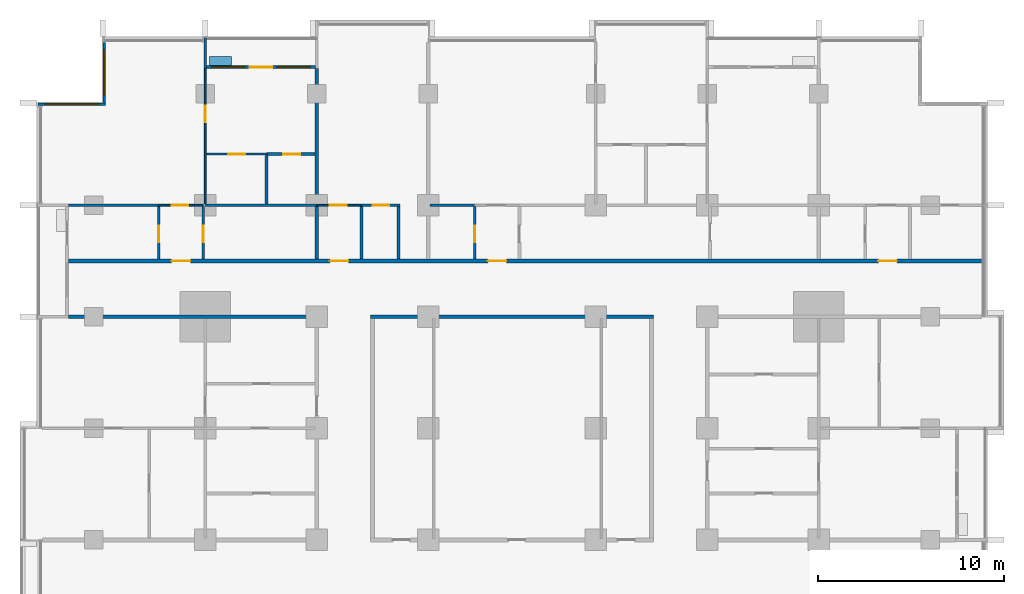
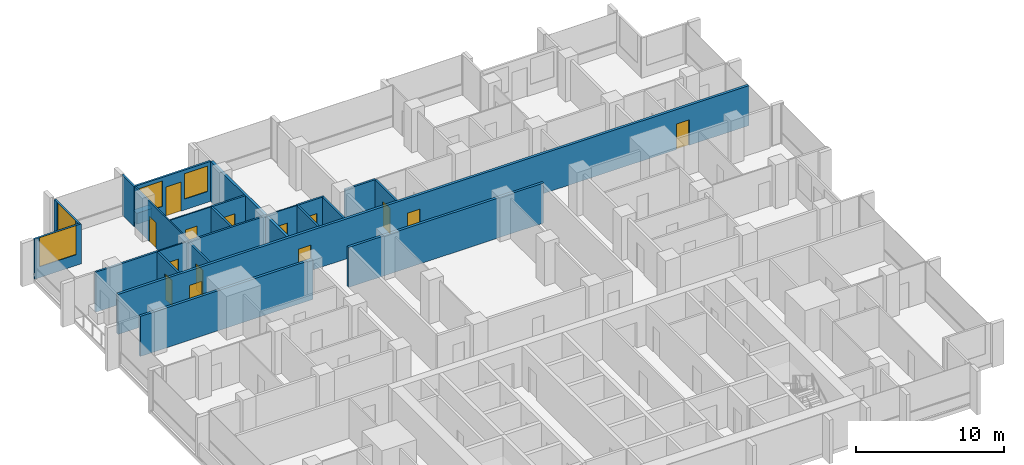
# One storey, part 11 of 18: 25 walls, 14 doors, 4 windows, 18 openings.
"""IFC4 building model written with IfcOpenShell, lengths in metres."""

from ifc_helpers import new_model, si_unit, direction, frame, frame_2d, origin, place, context, subcontext, project, spatial, rectangle, extrude, material, layer, layer_set, type_object, element, fill, save


model = new_model("IFC4")

# Units and contexts
model_context = context("Model", 3, precision=1e-05, world=origin(), true_north=direction((0.0, 1.0)))
body_context = subcontext(model_context, "Body", "Model", "MODEL_VIEW")
ifc_project = project(units=[si_unit("LENGTHUNIT", "METRE"), si_unit("AREAUNIT", "SQUARE_METRE"), si_unit("VOLUMEUNIT", "CUBIC_METRE"), si_unit("PLANEANGLEUNIT", "RADIAN"), si_unit("MASSUNIT", "GRAM", prefix="KILO")], contexts=[model_context])

# Site, building, storey
site_placement = place(None, origin())
site = spatial("IfcSite", under=ifc_project, at=site_placement, CompositionType="ELEMENT")
building_placement = place(site_placement, origin())
building = spatial("IfcBuilding", under=site, at=building_placement, Name="Finial Court Residences", CompositionType="ELEMENT")
storey_placement = place(building_placement, frame((0.0, 0.0, 84.699951171875)))
storey = spatial("IfcBuildingStorey", under=building, at=storey_placement, Name="L20", CompositionType="ELEMENT", Elevation=84.699951171875)

# Walls
ifc_material_1 = material(Name="Gypsum board")
ifc_layer_1 = layer(ifc_material_1, 0.02490234375)
ifc_material_2 = material(Name="Acoustic mineral wool in double frame")
ifc_layer_2 = layer(ifc_material_2, 0.14990234375)
ifc_layer_3 = layer(ifc_material_1, 0.02490234375)
ifc_layer_set_1 = layer_set([ifc_layer_1, ifc_layer_2, ifc_layer_3], Name="Acoustic party wall 200, 1 hour")
wall_type_1 = type_object("IfcWallType", Name="Acoustic party wall 200, 1 hour", PredefinedType="PARTITIONING", material=ifc_layer_set_1)
wall_1_placement = place(storey_placement, frame((-10.5, 10.60009765625, 0.0), z_axis=(0.0, 0.0, 1.0), x_axis=(0.0, 1.0, 0.0)))
element("IfcWall", 1, at=wall_1_placement, inside=storey, type_object=wall_type_1, Name="Partition L20-055", PredefinedType="PARTITIONING", context=body_context, shape_type="SweptSolid", body=[
    extrude(rectangle(XDim=2.824951171875, YDim=0.199951171875, at=frame_2d((1.41259765625, 0.0))), origin(), (0.0, 0.0, 1.0), 3.300048828125),
])
wall_2_placement = place(storey_placement, frame((-10.5, 13.574951171875, 0.0), z_axis=(0.0, 0.0, 1.0), x_axis=(0.0, 1.0, 0.0)))
element("IfcWall", 2, at=wall_2_placement, inside=storey, type_object=wall_type_1, Name="Partition L20-056", PredefinedType="PARTITIONING", context=body_context, shape_type="SweptSolid", body=[
    extrude(rectangle(XDim=7.275146484375, YDim=0.199951171875, at=frame_2d((3.6376953125, 0.0))), origin(), (0.0, 0.0, 1.0), 3.300048828125),
])
ifc_layer_4 = layer(ifc_material_1, 0.02490234375)
ifc_layer_5 = layer(ifc_material_2, 0.14990234375)
ifc_layer_6 = layer(ifc_material_1, 0.02490234375)
ifc_layer_set_2 = layer_set([ifc_layer_4, ifc_layer_5, ifc_layer_6], Name="Corridor wall 200, 1 hour")
wall_type_2 = type_object("IfcWallType", Name="Corridor wall 200, 1 hour", PredefinedType="PARTITIONING", material=ifc_layer_set_2)
wall_3_placement = place(storey_placement, frame((-23.85009765625, 7.5, 0.0), z_axis=(0.0, 0.0, 1.0), x_axis=(1.0, 0.0, 0.0)))
element("IfcWall", 3, at=wall_3_placement, inside=storey, type_object=wall_type_2, Name="Partition L20-022", PredefinedType="PARTITIONING", context=body_context, shape_type="SweptSolid", body=[
    extrude(rectangle(XDim=13.4501953125, YDim=0.199951171875, at=frame_2d((6.72509765625, 0.0))), origin(), (0.0, 0.0, 1.0), 3.300048828125),
])
wall_4_placement = place(storey_placement, frame((-7.60009765625, 7.5, 0.0), z_axis=(0.0, 0.0, 1.0), x_axis=(1.0, 0.0, 0.0)))
element("IfcWall", 4, at=wall_4_placement, inside=storey, type_object=wall_type_2, Name="Partition L20-023", PredefinedType="PARTITIONING", context=body_context, shape_type="SweptSolid", body=[
    extrude(rectangle(XDim=15.2001953125, YDim=0.199951171875, at=frame_2d((7.60009765625, 0.0))), origin(), (0.0, 0.0, 1.0), 3.300048828125),
])

# Wall, openings, doors
wall_5_placement = place(storey_placement, frame((-23.85009765625, 10.5, 0.0), z_axis=(0.0, 0.0, 1.0), x_axis=(1.0, 0.0, 0.0)))
wall_5 = element("IfcWall", 5, at=wall_5_placement, inside=storey, type_object=wall_type_2, Name="Partition L20-025", PredefinedType="PARTITIONING", context=body_context, shape_type="SweptSolid", body=[
    extrude(rectangle(XDim=49.2001953125, YDim=0.199951171875, at=frame_2d((24.60009765625, 0.0))), origin(), (0.0, 0.0, 1.0), 3.300048828125),
])
opening_1_placement = place(wall_5_placement, frame((5.550048828125, 0.0, 0.0)))
opening_1 = element("IfcOpeningElement", 6, at=opening_1_placement, cuts=wall_5, Name="Opening L20-D018", PredefinedType="OPENING", context=body_context, shape_type="SweptSolid", body=[
    extrude(rectangle(XDim=1.0, YDim=2.10009765625, at=frame_2d((0.5, 1.050048828125))), frame((0.0, 0.10986328125, 0.0), z_axis=(0.0, -1.0, 0.0), x_axis=(1.0, 0.0, 0.0)), (0.0, 0.0, 1.0), 0.219970703125),
])
opening_2_placement = place(wall_5_placement, frame((14.050048828125, 0.0, 0.0)))
opening_2 = element("IfcOpeningElement", 7, at=opening_2_placement, cuts=wall_5, Name="Opening L20-D019", PredefinedType="OPENING", context=body_context, shape_type="SweptSolid", body=[
    extrude(rectangle(XDim=1.0, YDim=2.10009765625, at=frame_2d((0.5, 1.050048828125))), frame((0.0, 0.10986328125, 0.0), z_axis=(0.0, -1.0, 0.0), x_axis=(1.0, 0.0, 0.0)), (0.0, 0.0, 1.0), 0.219970703125),
])
opening_3_placement = place(wall_5_placement, frame((22.550048828125, 0.0, 0.0)))
opening_3 = element("IfcOpeningElement", 8, at=opening_3_placement, cuts=wall_5, Name="Opening L20-D020", PredefinedType="OPENING", context=body_context, shape_type="SweptSolid", body=[
    extrude(rectangle(XDim=1.0, YDim=2.10009765625, at=frame_2d((0.5, 1.050048828125))), frame((0.0, 0.10986328125, 0.0), z_axis=(0.0, -1.0, 0.0), x_axis=(1.0, 0.0, 0.0)), (0.0, 0.0, 1.0), 0.219970703125),
])
opening_4_placement = place(wall_5_placement, frame((43.550048828125, 0.0, 0.0)))
opening_4 = element("IfcOpeningElement", 9, at=opening_4_placement, cuts=wall_5, Name="Opening L20-D021", PredefinedType="OPENING", context=body_context, shape_type="SweptSolid", body=[
    extrude(rectangle(XDim=1.0, YDim=2.10009765625, at=frame_2d((0.5, 1.050048828125))), frame((0.0, 0.10986328125, 0.0), z_axis=(0.0, -1.0, 0.0), x_axis=(1.0, 0.0, 0.0)), (0.0, 0.0, 1.0), 0.219970703125),
])
ifc_material_3 = material(Name="Timber door leaf in hollow metal frame", Category="wood")
door_type_1 = type_object("IfcDoorType", Name="Fire door set 1000 x 2100, 30 minutes", OperationType="SINGLE_SWING_LEFT", PredefinedType="DOOR", material=ifc_material_3)
door_1_placement = place(opening_1_placement, origin())
door_1 = element("IfcDoor", 10, at=door_1_placement, inside=storey, type_object=door_type_1, Name="Door L20-D018", OperationType="SINGLE_SWING_RIGHT", OverallHeight=2.10009765625, OverallWidth=1.0, PredefinedType="DOOR", context=body_context, shape_type="SweptSolid", body=[
    extrude(rectangle(XDim=1.0, YDim=2.10009765625, at=frame_2d((0.5, 1.050048828125))), frame((0.0, 0.02490234375, 0.0), z_axis=(0.0, -1.0, 0.0), x_axis=(1.0, 0.0, 0.0)), (0.0, 0.0, 1.0), 0.050048828125),
])
fill(opening_1, door_1)
door_2_placement = place(opening_2_placement, origin())
door_2 = element("IfcDoor", 11, at=door_2_placement, inside=storey, type_object=door_type_1, Name="Door L20-D019", OperationType="SINGLE_SWING_RIGHT", OverallHeight=2.10009765625, OverallWidth=1.0, PredefinedType="DOOR", context=body_context, shape_type="SweptSolid", body=[
    extrude(rectangle(XDim=1.0, YDim=2.10009765625, at=frame_2d((0.5, 1.050048828125))), frame((0.0, 0.02490234375, 0.0), z_axis=(0.0, -1.0, 0.0), x_axis=(1.0, 0.0, 0.0)), (0.0, 0.0, 1.0), 0.050048828125),
])
fill(opening_2, door_2)
door_3_placement = place(opening_3_placement, origin())
door_3 = element("IfcDoor", 12, at=door_3_placement, inside=storey, type_object=door_type_1, Name="Door L20-D020", OperationType="SINGLE_SWING_RIGHT", OverallHeight=2.10009765625, OverallWidth=1.0, PredefinedType="DOOR", context=body_context, shape_type="SweptSolid", body=[
    extrude(rectangle(XDim=1.0, YDim=2.10009765625, at=frame_2d((0.5, 1.050048828125))), frame((0.0, 0.02490234375, 0.0), z_axis=(0.0, -1.0, 0.0), x_axis=(1.0, 0.0, 0.0)), (0.0, 0.0, 1.0), 0.050048828125),
])
fill(opening_3, door_3)
door_4_placement = place(opening_4_placement, origin())
door_4 = element("IfcDoor", 13, at=door_4_placement, inside=storey, type_object=door_type_1, Name="Door L20-D021", OperationType="SINGLE_SWING_LEFT", OverallHeight=2.10009765625, OverallWidth=1.0, PredefinedType="DOOR", context=body_context, shape_type="SweptSolid", body=[
    extrude(rectangle(XDim=1.0, YDim=2.10009765625, at=frame_2d((0.5, 1.050048828125))), frame((0.0, 0.02490234375, 0.0), z_axis=(0.0, -1.0, 0.0), x_axis=(1.0, 0.0, 0.0)), (0.0, 0.0, 1.0), 0.050048828125),
])
fill(opening_4, door_4)

# Wall, opening, door
ifc_layer_7 = layer(ifc_material_1, 0.012451171875)
ifc_material_4 = material(Name="Mineral wool in light-gauge frame")
ifc_layer_8 = layer(ifc_material_4, 0.074951171875)
ifc_layer_9 = layer(ifc_material_1, 0.012451171875)
ifc_layer_set_3 = layer_set([ifc_layer_7, ifc_layer_8, ifc_layer_9], Name="Gypsum board partition 100")
wall_type_3 = type_object("IfcWallType", Name="Gypsum board partition 100", PredefinedType="PARTITIONING", material=ifc_layer_set_3)
wall_6_placement = place(storey_placement, frame((-19.0, 13.5, 0.0), z_axis=(0.0, 0.0, 1.0), x_axis=(1.0, 0.0, 0.0)))
wall_6 = element("IfcWall", 14, at=wall_6_placement, inside=storey, type_object=wall_type_3, Name="Partition L20-026", PredefinedType="PARTITIONING", context=body_context, shape_type="SweptSolid", body=[
    extrude(rectangle(XDim=2.39990234375, YDim=0.10009765625, at=frame_2d((1.199951171875, 0.0))), origin(), (0.0, 0.0, 1.0), 3.300048828125),
])
opening_5_placement = place(wall_6_placement, frame((0.699951171875, 0.0, 0.0)))
opening_5 = element("IfcOpeningElement", 15, at=opening_5_placement, cuts=wall_6, Name="Opening L20-D022", PredefinedType="OPENING", context=body_context, shape_type="SweptSolid", body=[
    extrude(rectangle(XDim=0.89990234375, YDim=2.10009765625, at=frame_2d((0.449951171875, 1.050048828125))), frame((0.0, 0.06005859375, 0.0), z_axis=(0.0, -1.0, 0.0), x_axis=(1.0, 0.0, 0.0)), (0.0, 0.0, 1.0), 0.1201171875),
])
ifc_material_5 = material(Name="Timber door leaf in timber frame", Category="wood")
door_type_2 = type_object("IfcDoorType", Name="Door set 900 x 2100", OperationType="SINGLE_SWING_LEFT", PredefinedType="DOOR", material=ifc_material_5)
door_5_placement = place(opening_5_placement, origin())
door_5 = element("IfcDoor", 16, at=door_5_placement, inside=storey, type_object=door_type_2, Name="Door L20-D022", OperationType="SINGLE_SWING_RIGHT", OverallHeight=2.10009765625, OverallWidth=0.89990234375, PredefinedType="DOOR", context=body_context, shape_type="SweptSolid", body=[
    extrude(rectangle(XDim=0.89990234375, YDim=2.10009765625, at=frame_2d((0.449951171875, 1.050048828125))), frame((0.0, 0.02490234375, 0.0), z_axis=(0.0, -1.0, 0.0), x_axis=(1.0, 0.0, 0.0)), (0.0, 0.0, 1.0), 0.050048828125),
])
fill(opening_5, door_5)

wall_7_placement = place(storey_placement, frame((-10.5, 13.5, 0.0), z_axis=(0.0, 0.0, 1.0), x_axis=(1.0, 0.0, 0.0)))
wall_7 = element("IfcWall", 17, at=wall_7_placement, inside=storey, type_object=wall_type_3, Name="Partition L20-027", PredefinedType="PARTITIONING", context=body_context, shape_type="SweptSolid", body=[
    extrude(rectangle(XDim=2.39990234375, YDim=0.10009765625, at=frame_2d((1.199951171875, 0.0))), origin(), (0.0, 0.0, 1.0), 3.300048828125),
])
opening_6_placement = place(wall_7_placement, frame((0.699951171875, 0.0, 0.0)))
opening_6 = element("IfcOpeningElement", 18, at=opening_6_placement, cuts=wall_7, Name="Opening L20-D023", PredefinedType="OPENING", context=body_context, shape_type="SweptSolid", body=[
    extrude(rectangle(XDim=0.89990234375, YDim=2.10009765625, at=frame_2d((0.449951171875, 1.050048828125))), frame((0.0, 0.06005859375, 0.0), z_axis=(0.0, -1.0, 0.0), x_axis=(1.0, 0.0, 0.0)), (0.0, 0.0, 1.0), 0.1201171875),
])
door_6_placement = place(opening_6_placement, origin())
door_6 = element("IfcDoor", 19, at=door_6_placement, inside=storey, type_object=door_type_2, Name="Door L20-D023", OperationType="SINGLE_SWING_RIGHT", OverallHeight=2.10009765625, OverallWidth=0.89990234375, PredefinedType="DOOR", context=body_context, shape_type="SweptSolid", body=[
    extrude(rectangle(XDim=0.89990234375, YDim=2.10009765625, at=frame_2d((0.449951171875, 1.050048828125))), frame((0.0, 0.02490234375, 0.0), z_axis=(0.0, -1.0, 0.0), x_axis=(1.0, 0.0, 0.0)), (0.0, 0.0, 1.0), 0.050048828125),
])
fill(opening_6, door_6)

wall_8_placement = place(storey_placement, frame((-16.449951171875, 16.25, 0.0), z_axis=(0.0, 0.0, 1.0), x_axis=(1.0, 0.0, 0.0)))
wall_8 = element("IfcWall", 20, at=wall_8_placement, inside=storey, type_object=wall_type_3, Name="Partition L20-037", PredefinedType="PARTITIONING", context=body_context, shape_type="SweptSolid", body=[
    extrude(rectangle(XDim=3.25, YDim=0.10009765625, at=frame_2d((1.625, 0.0))), origin(), (0.0, 0.0, 1.0), 3.300048828125),
])
opening_7_placement = place(wall_8_placement, frame((1.199951171875, 0.0, 0.0)))
opening_7 = element("IfcOpeningElement", 21, at=opening_7_placement, cuts=wall_8, Name="Opening L20-D028", PredefinedType="OPENING", context=body_context, shape_type="SweptSolid", body=[
    extrude(rectangle(XDim=0.89990234375, YDim=2.10009765625, at=frame_2d((0.449951171875, 1.050048828125))), frame((0.0, 0.06005859375, 0.0), z_axis=(0.0, -1.0, 0.0), x_axis=(1.0, 0.0, 0.0)), (0.0, 0.0, 1.0), 0.1201171875),
])
door_7_placement = place(opening_7_placement, origin())
door_7 = element("IfcDoor", 22, at=door_7_placement, inside=storey, type_object=door_type_2, Name="Door L20-D028", OperationType="SINGLE_SWING_RIGHT", OverallHeight=2.10009765625, OverallWidth=0.89990234375, PredefinedType="DOOR", context=body_context, shape_type="SweptSolid", body=[
    extrude(rectangle(XDim=0.89990234375, YDim=2.10009765625, at=frame_2d((0.449951171875, 1.050048828125))), frame((0.0, 0.02490234375, 0.0), z_axis=(0.0, -1.0, 0.0), x_axis=(1.0, 0.0, 0.0)), (0.0, 0.0, 1.0), 0.050048828125),
])
fill(opening_7, door_7)

wall_9_placement = place(storey_placement, frame((-16.5, 13.574951171875, 0.0), z_axis=(0.0, 0.0, 1.0), x_axis=(0.0, 1.0, 0.0)))
wall_9 = element("IfcWall", 23, at=wall_9_placement, inside=storey, type_object=wall_type_3, Name="Partition L20-046", PredefinedType="PARTITIONING", context=body_context, shape_type="SweptSolid", body=[
    extrude(rectangle(XDim=7.275146484375, YDim=0.10009765625, at=frame_2d((3.6376953125, 0.0))), origin(), (0.0, 0.0, 1.0), 3.300048828125),
])
opening_8_placement = place(wall_9_placement, frame((4.375, 0.0, 0.0)))
opening_8 = element("IfcOpeningElement", 24, at=opening_8_placement, cuts=wall_9, Name="Opening L20-D036", PredefinedType="OPENING", context=body_context, shape_type="SweptSolid", body=[
    extrude(rectangle(XDim=0.89990234375, YDim=2.10009765625, at=frame_2d((0.449951171875, 1.050048828125))), frame((0.0, 0.06005859375, 0.0), z_axis=(0.0, -1.0, 0.0), x_axis=(1.0, 0.0, 0.0)), (0.0, 0.0, 1.0), 0.1201171875),
])
door_8_placement = place(opening_8_placement, origin())
door_8 = element("IfcDoor", 25, at=door_8_placement, inside=storey, type_object=door_type_2, Name="Door L20-D036", OperationType="SINGLE_SWING_RIGHT", OverallHeight=2.10009765625, OverallWidth=0.89990234375, PredefinedType="DOOR", context=body_context, shape_type="SweptSolid", body=[
    extrude(rectangle(XDim=0.89990234375, YDim=2.10009765625, at=frame_2d((0.449951171875, 1.050048828125))), frame((0.0, 0.02490234375, 0.0), z_axis=(0.0, -1.0, 0.0), x_axis=(1.0, 0.0, 0.0)), (0.0, 0.0, 1.0), 0.050048828125),
])
fill(opening_8, door_8)

# Walls
ifc_material_6 = material(Name="Moisture-resistant gypsum board")
ifc_layer_10 = layer(ifc_material_6, 0.012451171875)
ifc_layer_11 = layer(ifc_material_4, 0.125)
ifc_layer_12 = layer(ifc_material_6, 0.012451171875)
ifc_layer_set_4 = layer_set([ifc_layer_10, ifc_layer_11, ifc_layer_12], Name="Gypsum board wet-area partition 150")
wall_type_4 = type_object("IfcWallType", Name="Gypsum board wet-area partition 150", PredefinedType="PARTITIONING", material=ifc_layer_set_4)
wall_10_placement = place(storey_placement, frame((-23.85009765625, 13.5, 0.0), z_axis=(0.0, 0.0, 1.0), x_axis=(1.0, 0.0, 0.0)))
element("IfcWall", 26, at=wall_10_placement, inside=storey, type_object=wall_type_4, Name="Partition L20-030", PredefinedType="PARTITIONING", context=body_context, shape_type="SweptSolid", body=[
    extrude(rectangle(XDim=4.85009765625, YDim=0.14990234375, at=frame_2d((2.425048828125, 0.0))), origin(), (0.0, 0.0, 1.0), 3.300048828125),
])
wall_11_placement = place(storey_placement, frame((-16.5, 13.5, 0.0), z_axis=(0.0, 0.0, 1.0), x_axis=(1.0, 0.0, 0.0)))
element("IfcWall", 27, at=wall_11_placement, inside=storey, type_object=wall_type_4, Name="Partition L20-031", PredefinedType="PARTITIONING", context=body_context, shape_type="SweptSolid", body=[
    extrude(rectangle(XDim=6.0, YDim=0.14990234375, at=frame_2d((3.0, 0.0))), origin(), (0.0, 0.0, 1.0), 3.300048828125),
])

# Wall, opening, door
wall_12_placement = place(storey_placement, frame((-8.10009765625, 13.5, 0.0), z_axis=(0.0, 0.0, 1.0), x_axis=(1.0, 0.0, 0.0)))
wall_12 = element("IfcWall", 28, at=wall_12_placement, inside=storey, type_object=wall_type_4, Name="Partition L20-032", PredefinedType="PARTITIONING", context=body_context, shape_type="SweptSolid", body=[
    extrude(rectangle(XDim=2.0751953125, YDim=0.14990234375, at=frame_2d((1.03759765625, 0.0))), origin(), (0.0, 0.0, 1.0), 3.300048828125),
])
opening_9_placement = place(wall_12_placement, frame((0.60009765625, 0.0, 0.0)))
opening_9 = element("IfcOpeningElement", 29, at=opening_9_placement, cuts=wall_12, Name="Opening L20-D026", PredefinedType="OPENING", context=body_context, shape_type="SweptSolid", body=[
    extrude(rectangle(XDim=0.89990234375, YDim=2.10009765625, at=frame_2d((0.449951171875, 1.050048828125))), frame((0.0, 0.0849609375, 0.0), z_axis=(0.0, -1.0, 0.0), x_axis=(1.0, 0.0, 0.0)), (0.0, 0.0, 1.0), 0.169921875),
])
door_9_placement = place(opening_9_placement, origin())
door_9 = element("IfcDoor", 30, at=door_9_placement, inside=storey, type_object=door_type_2, Name="Door L20-D026", OperationType="SINGLE_SWING_LEFT", OverallHeight=2.10009765625, OverallWidth=0.89990234375, PredefinedType="DOOR", context=body_context, shape_type="SweptSolid", body=[
    extrude(rectangle(XDim=0.89990234375, YDim=2.10009765625, at=frame_2d((0.449951171875, 1.050048828125))), frame((0.0, 0.02490234375, 0.0), z_axis=(0.0, -1.0, 0.0), x_axis=(1.0, 0.0, 0.0)), (0.0, 0.0, 1.0), 0.050048828125),
])
fill(opening_9, door_9)

# Wall
wall_13_placement = place(storey_placement, frame((-4.39990234375, 13.5, 0.0), z_axis=(0.0, 0.0, 1.0), x_axis=(1.0, 0.0, 0.0)))
element("IfcWall", 31, at=wall_13_placement, inside=storey, type_object=wall_type_4, Name="Partition L20-033", PredefinedType="PARTITIONING", context=body_context, shape_type="SweptSolid", body=[
    extrude(rectangle(XDim=2.39990234375, YDim=0.14990234375, at=frame_2d((1.199951171875, 0.0))), origin(), (0.0, 0.0, 1.0), 3.300048828125),
])

# Wall, opening, door
wall_14_placement = place(storey_placement, frame((-13.199951171875, 16.25, 0.0), z_axis=(0.0, 0.0, 1.0), x_axis=(1.0, 0.0, 0.0)))
wall_14 = element("IfcWall", 32, at=wall_14_placement, inside=storey, type_object=wall_type_4, Name="Partition L20-038", PredefinedType="PARTITIONING", context=body_context, shape_type="SweptSolid", body=[
    extrude(rectangle(XDim=2.599853515625, YDim=0.14990234375, at=frame_2d((1.2998046875, 0.0))), origin(), (0.0, 0.0, 1.0), 3.300048828125),
])
opening_10_placement = place(wall_14_placement, frame((0.89990234375, 0.0, 0.0)))
opening_10 = element("IfcOpeningElement", 33, at=opening_10_placement, cuts=wall_14, Name="Opening L20-D029", PredefinedType="OPENING", context=body_context, shape_type="SweptSolid", body=[
    extrude(rectangle(XDim=0.89990234375, YDim=2.10009765625, at=frame_2d((0.449951171875, 1.050048828125))), frame((0.0, 0.0849609375, 0.0), z_axis=(0.0, -1.0, 0.0), x_axis=(1.0, 0.0, 0.0)), (0.0, 0.0, 1.0), 0.169921875),
])
door_10_placement = place(opening_10_placement, origin())
door_10 = element("IfcDoor", 34, at=door_10_placement, inside=storey, type_object=door_type_2, Name="Door L20-D029", OperationType="SINGLE_SWING_RIGHT", OverallHeight=2.10009765625, OverallWidth=0.89990234375, PredefinedType="DOOR", context=body_context, shape_type="SweptSolid", body=[
    extrude(rectangle(XDim=0.89990234375, YDim=2.10009765625, at=frame_2d((0.449951171875, 1.050048828125))), frame((0.0, 0.02490234375, 0.0), z_axis=(0.0, -1.0, 0.0), x_axis=(1.0, 0.0, 0.0)), (0.0, 0.0, 1.0), 0.050048828125),
])
fill(opening_10, door_10)

wall_15_placement = place(storey_placement, frame((-19.0, 10.60009765625, 0.0), z_axis=(0.0, 0.0, 1.0), x_axis=(0.0, 1.0, 0.0)))
wall_15 = element("IfcWall", 35, at=wall_15_placement, inside=storey, type_object=wall_type_4, Name="Partition L20-043", PredefinedType="PARTITIONING", context=body_context, shape_type="SweptSolid", body=[
    extrude(rectangle(XDim=2.824951171875, YDim=0.14990234375, at=frame_2d((1.41259765625, 0.0))), origin(), (0.0, 0.0, 1.0), 3.300048828125),
])
opening_11_placement = place(wall_15_placement, frame((0.89990234375, 0.0, 0.0)))
opening_11 = element("IfcOpeningElement", 36, at=opening_11_placement, cuts=wall_15, Name="Opening L20-D033", PredefinedType="OPENING", context=body_context, shape_type="SweptSolid", body=[
    extrude(rectangle(XDim=0.89990234375, YDim=2.10009765625, at=frame_2d((0.449951171875, 1.050048828125))), frame((0.0, 0.0849609375, 0.0), z_axis=(0.0, -1.0, 0.0), x_axis=(1.0, 0.0, 0.0)), (0.0, 0.0, 1.0), 0.169921875),
])
door_11_placement = place(opening_11_placement, origin())
door_11 = element("IfcDoor", 37, at=door_11_placement, inside=storey, type_object=door_type_2, Name="Door L20-D033", OperationType="SINGLE_SWING_LEFT", OverallHeight=2.10009765625, OverallWidth=0.89990234375, PredefinedType="DOOR", context=body_context, shape_type="SweptSolid", body=[
    extrude(rectangle(XDim=0.89990234375, YDim=2.10009765625, at=frame_2d((0.449951171875, 1.050048828125))), frame((0.0, 0.02490234375, 0.0), z_axis=(0.0, -1.0, 0.0), x_axis=(1.0, 0.0, 0.0)), (0.0, 0.0, 1.0), 0.050048828125),
])
fill(opening_11, door_11)

wall_16_placement = place(storey_placement, frame((-16.60009765625, 10.60009765625, 0.0), z_axis=(0.0, 0.0, 1.0), x_axis=(0.0, 1.0, 0.0)))
wall_16 = element("IfcWall", 38, at=wall_16_placement, inside=storey, type_object=wall_type_4, Name="Partition L20-044", PredefinedType="PARTITIONING", context=body_context, shape_type="SweptSolid", body=[
    extrude(rectangle(XDim=2.824951171875, YDim=0.14990234375, at=frame_2d((1.41259765625, 0.0))), origin(), (0.0, 0.0, 1.0), 3.300048828125),
])
opening_12_placement = place(wall_16_placement, frame((0.89990234375, 0.0, 0.0)))
opening_12 = element("IfcOpeningElement", 39, at=opening_12_placement, cuts=wall_16, Name="Opening L20-D034", PredefinedType="OPENING", context=body_context, shape_type="SweptSolid", body=[
    extrude(rectangle(XDim=0.89990234375, YDim=2.10009765625, at=frame_2d((0.449951171875, 1.050048828125))), frame((0.0, 0.0849609375, 0.0), z_axis=(0.0, -1.0, 0.0), x_axis=(1.0, 0.0, 0.0)), (0.0, 0.0, 1.0), 0.169921875),
])
door_12_placement = place(opening_12_placement, origin())
door_12 = element("IfcDoor", 40, at=door_12_placement, inside=storey, type_object=door_type_2, Name="Door L20-D034", OperationType="SINGLE_SWING_LEFT", OverallHeight=2.10009765625, OverallWidth=0.89990234375, PredefinedType="DOOR", context=body_context, shape_type="SweptSolid", body=[
    extrude(rectangle(XDim=0.89990234375, YDim=2.10009765625, at=frame_2d((0.449951171875, 1.050048828125))), frame((0.0, 0.02490234375, 0.0), z_axis=(0.0, -1.0, 0.0), x_axis=(1.0, 0.0, 0.0)), (0.0, 0.0, 1.0), 0.050048828125),
])
fill(opening_12, door_12)

# Walls
wall_17_placement = place(storey_placement, frame((-13.199951171875, 13.574951171875, 0.0), z_axis=(0.0, 0.0, 1.0), x_axis=(0.0, 1.0, 0.0)))
element("IfcWall", 41, at=wall_17_placement, inside=storey, type_object=wall_type_4, Name="Partition L20-053", PredefinedType="PARTITIONING", context=body_context, shape_type="SweptSolid", body=[
    extrude(rectangle(XDim=2.60009765625, YDim=0.14990234375, at=frame_2d((1.300048828125, 0.0))), origin(), (0.0, 0.0, 1.0), 3.300048828125),
])
for number, where, z_axis, x_axis, name in (
    (42, (-8.10009765625, 10.60009765625, 0.0), (0.0, 0.0, 1.0), (0.0, 1.0, 0.0), "Partition L20-057"),
    (43, (-6.10009765625, 10.60009765625, 0.0), (0.0, 0.0, 1.0), (0.0, 1.0, 0.0), "Partition L20-059"),
):
    element("IfcWall", number, at=place(storey_placement, frame(where, z_axis=z_axis, x_axis=x_axis)), inside=storey, type_object=wall_type_4, Name=name, PredefinedType="PARTITIONING", context=body_context, shape_type="SweptSolid", body=[
        extrude(rectangle(XDim=2.824951171875, YDim=0.14990234375, at=frame_2d((1.41259765625, 0.0))), origin(), (0.0, 0.0, 1.0), 3.300048828125),
    ])

# Wall, opening, door
wall_18_placement = place(storey_placement, frame((-2.0, 10.60009765625, 0.0), z_axis=(0.0, 0.0, 1.0), x_axis=(0.0, 1.0, 0.0)))
wall_18 = element("IfcWall", 44, at=wall_18_placement, inside=storey, type_object=wall_type_4, Name="Partition L20-062", PredefinedType="PARTITIONING", context=body_context, shape_type="SweptSolid", body=[
    extrude(rectangle(XDim=2.824951171875, YDim=0.14990234375, at=frame_2d((1.41259765625, 0.0))), origin(), (0.0, 0.0, 1.0), 3.300048828125),
])
opening_13_placement = place(wall_18_placement, frame((0.89990234375, 0.0, 0.0)))
opening_13 = element("IfcOpeningElement", 45, at=opening_13_placement, cuts=wall_18, Name="Opening L20-D041", PredefinedType="OPENING", context=body_context, shape_type="SweptSolid", body=[
    extrude(rectangle(XDim=0.89990234375, YDim=2.10009765625, at=frame_2d((0.449951171875, 1.050048828125))), frame((0.0, 0.0849609375, 0.0), z_axis=(0.0, -1.0, 0.0), x_axis=(1.0, 0.0, 0.0)), (0.0, 0.0, 1.0), 0.169921875),
])
door_13_placement = place(opening_13_placement, origin())
door_13 = element("IfcDoor", 46, at=door_13_placement, inside=storey, type_object=door_type_2, Name="Door L20-D041", OperationType="SINGLE_SWING_LEFT", OverallHeight=2.10009765625, OverallWidth=0.89990234375, PredefinedType="DOOR", context=body_context, shape_type="SweptSolid", body=[
    extrude(rectangle(XDim=0.89990234375, YDim=2.10009765625, at=frame_2d((0.449951171875, 1.050048828125))), frame((0.0, 0.02490234375, 0.0), z_axis=(0.0, -1.0, 0.0), x_axis=(1.0, 0.0, 0.0)), (0.0, 0.0, 1.0), 0.050048828125),
])
fill(opening_13, door_13)

# Wall, opening, window
ifc_material_7 = material(Name="Natural limestone", Category="masonry")
ifc_layer_13 = layer(ifc_material_7, 0.14990234375)
ifc_layer_set_5 = layer_set([ifc_layer_13], Name="Limestone clad wall 150")
wall_type_5 = type_object("IfcWallType", Name="Limestone clad wall 150", PredefinedType="SOLIDWALL", material=ifc_layer_set_5)
wall_19_placement = place(storey_placement, frame((-21.925048828125, 19.0, 0.0), z_axis=(0.0, 0.0, 1.0), x_axis=(0.0, 1.0, 0.0)))
wall_19 = element("IfcWall", 47, at=wall_19_placement, inside=storey, type_object=wall_type_5, Name="E-L20-NWW19", PredefinedType="SOLIDWALL", context=body_context, shape_type="SweptSolid", body=[
    extrude(rectangle(XDim=3.25, YDim=0.14990234375, at=frame_2d((1.625, 0.0))), origin(), (0.0, 0.0, 1.0), 3.300048828125),
])
opening_14_placement = place(wall_19_placement, frame((0.39990234375, 0.0, 0.89990234375)))
opening_14 = element("IfcOpeningElement", 48, at=opening_14_placement, cuts=wall_19, Name="Opening WE20-05", PredefinedType="OPENING", context=body_context, shape_type="SweptSolid", body=[
    extrude(rectangle(XDim=2.449951171875, YDim=2.39990234375, at=frame_2d((1.22509765625, 1.199951171875))), frame((0.0, 0.0849609375, 0.0), z_axis=(0.0, -1.0, 0.0), x_axis=(1.0, 0.0, 0.0)), (0.0, 0.0, 1.0), 0.169921875),
])
ifc_material_8 = material(Name="Clear low-e glass", Category="glass")
window_type_1 = type_object("IfcWindowType", Name="Corner window 2450 x 2400", PartitioningType="SINGLE_PANEL", PredefinedType="WINDOW", material=ifc_material_8)
window_1_placement = place(opening_14_placement, origin())
window_1 = element("IfcWindow", 49, at=window_1_placement, inside=storey, type_object=window_type_1, Name="E-L20-NWW19-W1", OverallHeight=2.39990234375, OverallWidth=2.449951171875, PartitioningType="SINGLE_PANEL", PredefinedType="WINDOW", context=body_context, shape_type="SweptSolid", body=[
    extrude(rectangle(XDim=2.449951171875, YDim=2.39990234375, at=frame_2d((1.22509765625, 1.199951171875))), frame((0.0, 0.030029296875, 0.0), z_axis=(0.0, -1.0, 0.0), x_axis=(1.0, 0.0, 0.0)), (0.0, 0.0, 1.0), 0.06005859375),
])
fill(opening_14, window_1)

wall_20_placement = place(storey_placement, frame((-25.5, 18.925048828125, 0.0), z_axis=(0.0, 0.0, 1.0), x_axis=(1.0, 0.0, 0.0)))
wall_20 = element("IfcWall", 50, at=wall_20_placement, inside=storey, type_object=wall_type_5, Name="E-L20-NWN20", PredefinedType="SOLIDWALL", context=body_context, shape_type="SweptSolid", body=[
    extrude(rectangle(XDim=3.64990234375, YDim=0.14990234375, at=frame_2d((1.824951171875, 0.0))), origin(), (0.0, 0.0, 1.0), 3.300048828125),
])
opening_15_placement = place(wall_20_placement, frame((0.39990234375, 0.0, 0.89990234375)))
opening_15 = element("IfcOpeningElement", 51, at=opening_15_placement, cuts=wall_20, Name="Opening WE20-06", PredefinedType="OPENING", context=body_context, shape_type="SweptSolid", body=[
    extrude(rectangle(XDim=2.85009765625, YDim=2.39990234375, at=frame_2d((1.425048828125, 1.199951171875))), frame((0.0, 0.0849609375, 0.0), z_axis=(0.0, -1.0, 0.0), x_axis=(1.0, 0.0, 0.0)), (0.0, 0.0, 1.0), 0.169921875),
])
window_type_2 = type_object("IfcWindowType", Name="Corner window 2850 x 2400", PartitioningType="SINGLE_PANEL", PredefinedType="WINDOW", material=ifc_material_8)
window_2_placement = place(opening_15_placement, origin())
window_2 = element("IfcWindow", 52, at=window_2_placement, inside=storey, type_object=window_type_2, Name="E-L20-NWN20-W1", OverallHeight=2.39990234375, OverallWidth=2.85009765625, PartitioningType="SINGLE_PANEL", PredefinedType="WINDOW", context=body_context, shape_type="SweptSolid", body=[
    extrude(rectangle(XDim=2.85009765625, YDim=2.39990234375, at=frame_2d((1.425048828125, 1.199951171875))), frame((0.0, 0.030029296875, 0.0), z_axis=(0.0, -1.0, 0.0), x_axis=(1.0, 0.0, 0.0)), (0.0, 0.0, 1.0), 0.06005859375),
])
fill(opening_15, window_2)

# Wall
wall_21_placement = place(storey_placement, frame((-16.5, 20.85009765625, 0.0), z_axis=(0.0, 0.0, 1.0), x_axis=(0.0, 1.0, 0.0)))
element("IfcWall", 53, at=wall_21_placement, inside=storey, type_object=wall_type_5, Name="E-L20-BALN2-P1", PredefinedType="SOLIDWALL", context=body_context, shape_type="SweptSolid", body=[
    extrude(rectangle(XDim=1.64990234375, YDim=0.14990234375, at=frame_2d((0.824951171875, 0.0))), origin(), (0.0, 0.0, 1.0), 3.300048828125),
])

# Wall, openings, door, windows
wall_22_placement = place(storey_placement, frame((-16.425048828125, 20.925048828125, 0.0), z_axis=(0.0, 0.0, 1.0), x_axis=(1.0, 0.0, 0.0)))
wall_22 = element("IfcWall", 54, at=wall_22_placement, inside=storey, type_object=wall_type_5, Name="E-L20-L20-BALN2-W", PredefinedType="SOLIDWALL", context=body_context, shape_type="SweptSolid", body=[
    extrude(rectangle(XDim=5.85009765625, YDim=0.14990234375, at=frame_2d((2.925048828125, 0.0))), origin(), (0.0, 0.0, 1.0), 3.300048828125),
])
opening_16_placement = place(wall_22_placement, frame((2.324951171875, 0.0, 0.0)))
opening_16 = element("IfcOpeningElement", 55, at=opening_16_placement, cuts=wall_22, Name="Opening DE20-01", PredefinedType="OPENING", context=body_context, shape_type="SweptSolid", body=[
    extrude(rectangle(XDim=1.199951171875, YDim=2.39990234375, at=frame_2d((0.60009765625, 1.199951171875))), frame((0.0, 0.0849609375, 0.0), z_axis=(0.0, -1.0, 0.0), x_axis=(1.0, 0.0, 0.0)), (0.0, 0.0, 1.0), 0.169921875),
])
opening_17_placement = place(wall_22_placement, frame((0.262451171875, 0.0, 0.89990234375)))
opening_17 = element("IfcOpeningElement", 56, at=opening_17_placement, cuts=wall_22, Name="Opening WE20-09", PredefinedType="OPENING", context=body_context, shape_type="SweptSolid", body=[
    extrude(rectangle(XDim=1.800048828125, YDim=2.10009765625, at=frame_2d((0.89990234375, 1.050048828125))), frame((0.0, 0.0849609375, 0.0), z_axis=(0.0, -1.0, 0.0), x_axis=(1.0, 0.0, 0.0)), (0.0, 0.0, 1.0), 0.169921875),
])
opening_18_placement = place(wall_22_placement, frame((3.78759765625, 0.0, 0.89990234375)))
opening_18 = element("IfcOpeningElement", 57, at=opening_18_placement, cuts=wall_22, Name="Opening WE20-10", PredefinedType="OPENING", context=body_context, shape_type="SweptSolid", body=[
    extrude(rectangle(XDim=1.800048828125, YDim=2.10009765625, at=frame_2d((0.89990234375, 1.050048828125))), frame((0.0, 0.0849609375, 0.0), z_axis=(0.0, -1.0, 0.0), x_axis=(1.0, 0.0, 0.0)), (0.0, 0.0, 1.0), 0.169921875),
])
ifc_material_9 = material(Name="Bronze anodised aluminium", Category="aluminium")
door_type_3 = type_object("IfcDoorType", Name="Balcony door 1200 x 2400", OperationType="SINGLE_SWING_LEFT", PredefinedType="DOOR", material=ifc_material_9)
door_14_placement = place(opening_16_placement, origin())
door_14 = element("IfcDoor", 58, at=door_14_placement, inside=storey, type_object=door_type_3, Name="E-L20-L20-BALN2-W-D", OperationType="SINGLE_SWING_RIGHT", OverallHeight=2.39990234375, OverallWidth=1.199951171875, PredefinedType="DOOR", context=body_context, shape_type="SweptSolid", body=[
    extrude(rectangle(XDim=1.199951171875, YDim=2.39990234375, at=frame_2d((0.60009765625, 1.199951171875))), frame((0.0, 0.02490234375, 0.0), z_axis=(0.0, -1.0, 0.0), x_axis=(1.0, 0.0, 0.0)), (0.0, 0.0, 1.0), 0.050048828125),
])
fill(opening_16, door_14)
window_type_3 = type_object("IfcWindowType", Name="Balcony window 1800 x 2100", PartitioningType="SINGLE_PANEL", PredefinedType="WINDOW", material=ifc_material_8)
window_3_placement = place(opening_17_placement, origin())
window_3 = element("IfcWindow", 59, at=window_3_placement, inside=storey, type_object=window_type_3, Name="E-L20-L20-BALN2-W-W1", OverallHeight=2.10009765625, OverallWidth=1.800048828125, PartitioningType="SINGLE_PANEL", PredefinedType="WINDOW", context=body_context, shape_type="SweptSolid", body=[
    extrude(rectangle(XDim=1.800048828125, YDim=2.10009765625, at=frame_2d((0.89990234375, 1.050048828125))), frame((0.0, 0.030029296875, 0.0), z_axis=(0.0, -1.0, 0.0), x_axis=(1.0, 0.0, 0.0)), (0.0, 0.0, 1.0), 0.06005859375),
])
fill(opening_17, window_3)
window_4_placement = place(opening_18_placement, origin())
window_4 = element("IfcWindow", 60, at=window_4_placement, inside=storey, type_object=window_type_3, Name="E-L20-L20-BALN2-W-W2", OverallHeight=2.10009765625, OverallWidth=1.800048828125, PartitioningType="SINGLE_PANEL", PredefinedType="WINDOW", context=body_context, shape_type="SweptSolid", body=[
    extrude(rectangle(XDim=1.800048828125, YDim=2.10009765625, at=frame_2d((0.89990234375, 1.050048828125))), frame((0.0, 0.030029296875, 0.0), z_axis=(0.0, -1.0, 0.0), x_axis=(1.0, 0.0, 0.0)), (0.0, 0.0, 1.0), 0.06005859375),
])
fill(opening_18, window_4)

# Wall
ifc_material_10 = material(Name="Concrete C40/50", Category="concrete")
ifc_layer_14 = layer(ifc_material_10, 0.10009765625)
ifc_material_11 = material(Name="Planting soil", Category="soil")
ifc_layer_15 = layer(ifc_material_11, 0.300048828125)
ifc_layer_16 = layer(ifc_material_10, 0.10009765625)
ifc_layer_set_6 = layer_set([ifc_layer_14, ifc_layer_15, ifc_layer_16], Name="Planter wall, balcony")
wall_type_6 = type_object("IfcWallType", Name="Planter wall, balcony", PredefinedType="USERDEFINED", material=ifc_layer_set_6)
wall_23_placement = place(storey_placement, frame((-16.27490234375, 21.25, 0.0), z_axis=(0.0, 0.0, 1.0), x_axis=(1.0, 0.0, 0.0)))
element("IfcWall", 61, at=wall_23_placement, inside=storey, type_object=wall_type_6, Name="E-L20-BALN2-PL", ObjectType="PLANTER", PredefinedType="USERDEFINED", context=body_context, shape_type="SweptSolid", body=[
    extrude(rectangle(XDim=1.199951171875, YDim=0.5, at=frame_2d((0.60009765625, 0.0))), origin(), (0.0, 0.0, 1.0), 0.900146484375),
])

save(model, "model.ifc")
